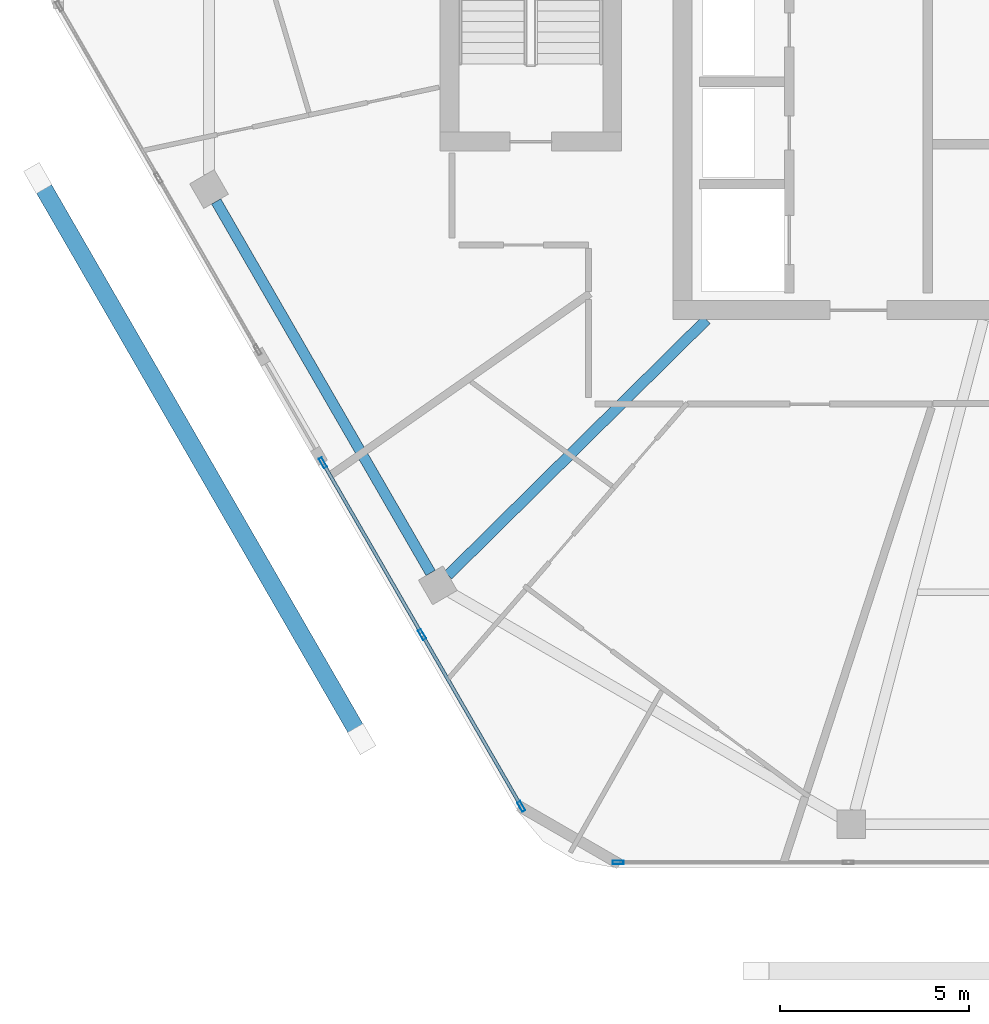
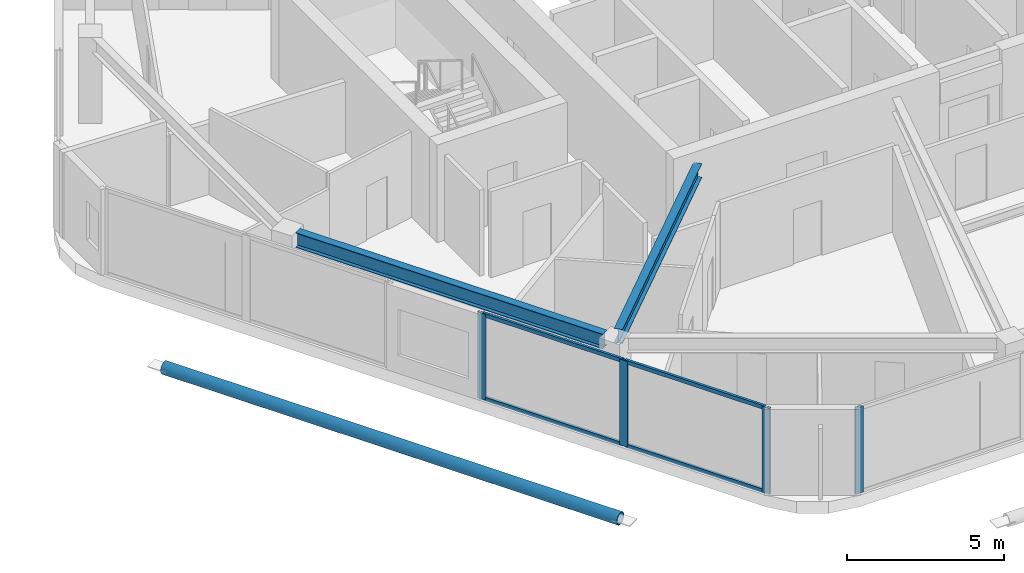
# One storey, part 2 of 22: 9 members, 2 beams, 2 elements without a shape of their own.
"""IFC4 building model written with IfcOpenShell, lengths in metres."""

import ifcopenshell
import ifcopenshell.guid

model = None  # the IFC model being written
_history = None  # IfcOwnerHistory: only IFC2X3 demands one
_inside = {}  # id of a spatial element -> (the spatial element, [elements in it])
_under = {}  # id of a project, library or spatial element -> (it, [spatial elements below it])
_declared = {}  # id of a project -> (the project, [libraries it declares])
_typed = {}  # id of a type object -> (the type object, [elements of that type])
_made_of = {}  # id of a material, layer set ... -> (it, [elements and type objects made of it])


def new_model(schema):
    """Start an empty IFC model of exactly this schema.

    Asked for "IFC4X3", IfcOpenShell would pick the latest addendum, in which some entities
    have other attributes; the version numbers below select the first issue.
    IFC2X3 requires an IfcOwnerHistory on every rooted entity: one is made here for all.
    """
    global model, _history
    if schema == "IFC4X3":
        model = ifcopenshell.file(schema_version=(4, 3, 0, 0))
    else:
        model = ifcopenshell.file(schema=schema)
    _inside.clear()
    _under.clear()
    _declared.clear()
    _typed.clear()
    _made_of.clear()
    _history = None
    if model.schema == "IFC2X3":
        org = make("IfcOrganization", Name="unknown")
        user = make(
            "IfcPersonAndOrganization",
            ThePerson=make("IfcPerson", FamilyName="unknown"),
            TheOrganization=org,
        )
        app = make(
            "IfcApplication",
            ApplicationDeveloper=org,
            Version="unknown",
            ApplicationFullName="unknown",
            ApplicationIdentifier="unknown",
        )
        _history = make(
            "IfcOwnerHistory",
            OwningUser=user,
            OwningApplication=app,
            ChangeAction="ADDED",
            CreationDate=0,
        )
    return model


def make(cls, **values):
    """One entity of the class cls with the attributes given. An attribute that is None is left unset."""
    return model.create_entity(
        cls, **{name: value for name, value in values.items() if value is not None}
    )


def rooted(cls, **values):
    """An entity with a GlobalId (a new one), such as an element, a storey or a relation."""
    return make(cls, GlobalId=ifcopenshell.guid.new(), OwnerHistory=_history, **values)


def si_unit(unit_type, name, prefix=None):
    """IfcSIUnit, for example si_unit("LENGTHUNIT", "METRE", prefix="MILLI")."""
    return make("IfcSIUnit", UnitType=unit_type, Prefix=prefix, Name=name)


def assignment(units):
    """IfcUnitAssignment: the units of a project."""
    return None if units is None else make("IfcUnitAssignment", Units=units)


def point(xyz):
    """IfcCartesianPoint."""
    return None if xyz is None else make("IfcCartesianPoint", Coordinates=xyz)


def direction(xyz):
    """IfcDirection."""
    return None if xyz is None else make("IfcDirection", DirectionRatios=xyz)


def frame(location, z_axis=None, x_axis=None):
    """IfcAxis2Placement3D, a coordinate frame: its origin and axes. An axis left out is left unset."""
    return make(
        "IfcAxis2Placement3D",
        Location=point(location),
        Axis=direction(z_axis),
        RefDirection=direction(x_axis),
    )


def frame_2d(location, x_axis=None):
    """IfcAxis2Placement2D, a coordinate frame in the plane: its origin and x axis."""
    return make(
        "IfcAxis2Placement2D", Location=point(location), RefDirection=direction(x_axis)
    )


def origin():
    """The frame at (0, 0, 0) with its axes left unset."""
    return frame((0.0, 0.0, 0.0))


def origin_2d():
    """The frame at (0, 0) in the plane with its x axis left unset."""
    return frame_2d((0.0, 0.0))


def place(relative_to, where):
    """IfcLocalPlacement: puts the frame where relative to a parent placement (None: the world)."""
    return make(
        "IfcLocalPlacement", PlacementRelTo=relative_to, RelativePlacement=where
    )


def context(
    kind, dimensions, precision=None, world=None, true_north=None, identifier=None
):
    """IfcGeometricRepresentationContext, for example the 3D "Model" context."""
    return make(
        "IfcGeometricRepresentationContext",
        ContextIdentifier=identifier,
        ContextType=kind,
        CoordinateSpaceDimension=dimensions,
        Precision=precision,
        WorldCoordinateSystem=world,
        TrueNorth=true_north,
    )


def subcontext(parent, identifier, kind, view, scale=None):
    """IfcGeometricRepresentationSubContext, for example "Body" below "Model"."""
    return make(
        "IfcGeometricRepresentationSubContext",
        ContextIdentifier=identifier,
        ContextType=kind,
        ParentContext=parent,
        TargetScale=scale,
        TargetView=view,
    )


def project(units=None, contexts=None):
    """IfcProject with its units and contexts."""
    return rooted(
        "IfcProject",
        Name="project",
        RepresentationContexts=contexts,
        UnitsInContext=assignment(units),
    )


def spatial(cls, under=None, at=None, **own):
    """A site, building, storey or space (cls), placed at a placement, below another one or the project."""
    s = rooted(cls, ObjectPlacement=at, **own)
    if under is not None:
        _under.setdefault(under.id(), (under, []))[1].append(s)
    return s


def profile(cls, at=None, kind="AREA", **sizes):
    """A parametric profile (cls). Its sizes go by their IFC names, for example OverallWidth=200.0."""
    return make(cls, ProfileType=kind, Position=at, **sizes)


def hollow_rectangle(**sizes):
    """IfcRectangleHollowProfileDef."""
    return profile("IfcRectangleHollowProfileDef", **sizes)


def hollow_circle(**sizes):
    """IfcCircleHollowProfileDef."""
    return profile("IfcCircleHollowProfileDef", **sizes)


def i_section(**sizes):
    """IfcIShapeProfileDef."""
    return profile("IfcIShapeProfileDef", **sizes)


def extrude(swept, where, along, depth):
    """IfcExtrudedAreaSolid: the profile swept, set in the frame where, extruded along a direction by depth."""
    return make(
        "IfcExtrudedAreaSolid",
        SweptArea=swept,
        Position=where,
        ExtrudedDirection=direction(along),
        Depth=depth,
    )


def shape(context_of_items, identifier, shape_type, items):
    """IfcShapeRepresentation: the items that make up one representation, for example the "Body"."""
    return make(
        "IfcShapeRepresentation",
        ContextOfItems=context_of_items,
        RepresentationIdentifier=identifier,
        RepresentationType=shape_type,
        Items=items,
    )


def material(Name=None, Category=None):
    """IfcMaterial."""
    return make("IfcMaterial", Name=Name, Category=Category)


def material_profile(
    of_material, cross_section, Name=None, Category=None, Priority=None
):
    """IfcMaterialProfile: a cross section and its material."""
    return make(
        "IfcMaterialProfile",
        Name=Name,
        Material=of_material,
        Profile=cross_section,
        Priority=Priority,
        Category=Category,
    )


def profile_set(profiles, Name=None, composite=None):
    """IfcMaterialProfileSet."""
    return make(
        "IfcMaterialProfileSet",
        Name=Name,
        MaterialProfiles=profiles,
        CompositeProfile=composite,
    )


def made_of(thing, what):
    """Note that an element or type object is made of a material, layer set ...; save() writes the relation."""
    if what is not None:
        _made_of.setdefault(what.id(), (what, []))[1].append(thing)
    return thing


def type_object(cls, material=None, **own):
    """A type object (cls), such as IfcWallType, which elements share."""
    return made_of(rooted(cls, **own), material)


def element(
    cls,
    number,
    at=None,
    inside=None,
    cuts=None,
    type_object=None,
    material=None,
    context=None,
    identifier="Body",
    shape_type=None,
    held_by="IfcProductDefinitionShape",
    body=None,
    shapes=None,
    **own,
):
    """One element of the class cls, such as IfcWall. Its Tag is "e" and its number.

    at: its placement. inside: the storey or other place that contains it. cuts: it is an
    opening in that element (IfcRelVoidsElement). A single representation is given by context,
    identifier, shape_type and body (its items); several are given by shapes. held_by: the class
    of the entity that holds the representations. save() writes the other relations.
    """
    e = rooted(cls, Tag="e%d" % number, ObjectPlacement=at, **own)
    if body is not None:
        shapes = [shape(context, identifier, shape_type, body)]
    if shapes is not None:
        e.Representation = make(held_by, Representations=shapes)
    if inside is not None:
        _inside.setdefault(inside.id(), (inside, []))[1].append(e)
    if cuts is not None:
        rooted(
            "IfcRelVoidsElement", RelatingBuildingElement=cuts, RelatedOpeningElement=e
        )
    if type_object is not None:
        _typed.setdefault(type_object.id(), (type_object, []))[1].append(e)
    return made_of(e, material)


def aggregate(whole, parts):
    """IfcRelAggregates: a whole, such as a stair, and the parts it consists of."""
    return rooted("IfcRelAggregates", RelatingObject=whole, RelatedObjects=parts)


def save(model, path):
    """Write the relations noted so far, then the file.

    IfcRelAggregates (storeys below a building ...), IfcRelContainedInSpatialStructure (elements
    in a storey), IfcRelDefinesByType, IfcRelAssociatesMaterial and IfcRelDeclares: one each for
    every whole, place, type object, material and project.
    """
    for whole, parts in _under.values():
        aggregate(whole, parts)
    for where, things in _inside.values():
        rooted(
            "IfcRelContainedInSpatialStructure",
            RelatedElements=things,
            RelatingStructure=where,
        )
    for kind, things in _typed.values():
        rooted("IfcRelDefinesByType", RelatedObjects=things, RelatingType=kind)
    for what, things in _made_of.values():
        rooted("IfcRelAssociatesMaterial", RelatedObjects=things, RelatingMaterial=what)
    for by, libraries in _declared.values():
        rooted("IfcRelDeclares", RelatingContext=by, RelatedDefinitions=libraries)
    model.write(path)


model = new_model("IFC4")

# Units and contexts
model_context = context("Model", 3, precision=1e-05, world=origin(), true_north=direction((0.0, 1.0)))
body_context = subcontext(model_context, "Body", "Model", "MODEL_VIEW")
ifc_project = project(units=[si_unit("LENGTHUNIT", "METRE"), si_unit("AREAUNIT", "SQUARE_METRE"), si_unit("VOLUMEUNIT", "CUBIC_METRE"), si_unit("PLANEANGLEUNIT", "RADIAN"), si_unit("MASSUNIT", "GRAM", prefix="KILO")], contexts=[model_context])

# Site, building, storey
site_placement = place(None, origin())
site = spatial("IfcSite", under=ifc_project, at=site_placement, CompositionType="ELEMENT")
building_placement = place(site_placement, origin())
building = spatial("IfcBuilding", under=site, at=building_placement, Name="Zuhravey Tower", CompositionType="ELEMENT")
storey_placement = place(building_placement, frame((0.0, 0.0, 357.60009765625)))
storey = spatial("IfcBuildingStorey", under=building, at=storey_placement, Name="L91", CompositionType="ELEMENT", Elevation=357.60009765625)

# Curtain wall, member
ifc_material_1 = material(Name="Thermally broken anodised aluminium", Category="aluminium")
curtain_wall_type = type_object("IfcCurtainWallType", Name="Zone 3-4 High-Rise Curtain Wall CW4", PredefinedType="NOTDEFINED", material=ifc_material_1)
curtain_wall_1_placement = place(storey_placement, origin())
curtain_wall_1 = element("IfcCurtainWall", 1, at=curtain_wall_1_placement, inside=storey, type_object=curtain_wall_type, Name="L91 CW4 CW-L91-F5-1", PredefinedType="NOTDEFINED")
ifc_material_2 = material(Name="Anodised aluminium", Category="aluminium")
ifc_material_profile_1 = material_profile(ifc_material_2, hollow_rectangle(XDim=0.090087890625, YDim=0.284912109375, WallThickness=0.0048828125, at=origin_2d()), Name="ALU-RHS-90x285x5")
ifc_profile_set_1 = profile_set([ifc_material_profile_1], Name="Anodised aluminium")
member_type_1 = type_object("IfcMemberType", Name="Curtain-Wall Mullion 90x180", PredefinedType="MULLION", material=ifc_profile_set_1)
member_1_placement = place(storey_placement, frame((23.8056640625, 7.92578125, 0.0), z_axis=(0.0, 0.0, 1.0), x_axis=(0.0, -1.0, 0.0)))
member_1 = element("IfcMember", 2, at=member_1_placement, type_object=member_type_1, Name="CW4 mullion 5", PredefinedType="MULLION", context=body_context, shape_type="SweptSolid", body=[
    extrude(hollow_rectangle(XDim=0.090087890625, YDim=0.284912109375, WallThickness=0.0048828125, at=origin_2d()), origin(), (0.0, 0.0, 1.0), 3.349853515625),
])
aggregate(curtain_wall_1, [member_1])

# Curtain wall, members
curtain_wall_2_placement = place(storey_placement, origin())
curtain_wall_2 = element("IfcCurtainWall", 3, at=curtain_wall_2_placement, inside=storey, type_object=curtain_wall_type, Name="L91 CW4 CW-L91-F4-1", PredefinedType="NOTDEFINED")
member_2_placement = place(storey_placement, frame((21.248291015625, 9.40234375, 0.0), z_axis=(0.0, 0.0, 1.0), x_axis=(-0.866028584979, -0.49999448997, 0.0)))
member_2 = element("IfcMember", 4, at=member_2_placement, type_object=member_type_1, Name="CW4 mullion 1", PredefinedType="MULLION", context=body_context, shape_type="SweptSolid", body=[
    extrude(hollow_rectangle(XDim=0.090087890625, YDim=0.284912109375, WallThickness=0.0048828125, at=origin_2d()), origin(), (0.0, 0.0, 1.0), 3.349853515625),
])
member_3_placement = place(storey_placement, frame((18.6298828125, 13.93798828125, 0.0), z_axis=(0.0, 0.0, 1.0), x_axis=(-0.866028584979, -0.49999448997, 0.0)))
member_3 = element("IfcMember", 5, at=member_3_placement, type_object=member_type_1, Name="CW4 mullion 2", PredefinedType="MULLION", context=body_context, shape_type="SweptSolid", body=[
    extrude(hollow_rectangle(XDim=0.090087890625, YDim=0.284912109375, WallThickness=0.0048828125, at=origin_2d()), origin(), (0.0, 0.0, 1.0), 3.349853515625),
])
member_4_placement = place(storey_placement, frame((16.01123046875, 18.473388671875, 0.0), z_axis=(0.0, 0.0, 1.0), x_axis=(-0.866028584979, -0.49999448997, 0.0)))
member_4 = element("IfcMember", 6, at=member_4_placement, type_object=member_type_1, Name="CW4 mullion 3", PredefinedType="MULLION", context=body_context, shape_type="SweptSolid", body=[
    extrude(hollow_rectangle(XDim=0.090087890625, YDim=0.284912109375, WallThickness=0.0048828125, at=origin_2d()), origin(), (0.0, 0.0, 1.0), 3.349853515625),
])
ifc_material_profile_2 = material_profile(ifc_material_2, hollow_rectangle(XDim=0.090087890625, YDim=0.14990234375, WallThickness=0.0048828125, at=origin_2d()), Name="ALU-RHS-90x150x5")
ifc_profile_set_2 = profile_set([ifc_material_profile_2], Name="Anodised aluminium")
member_type_2 = type_object("IfcMemberType", Name="Curtain-Wall Transom 90x150", PredefinedType="USERDEFINED", material=ifc_profile_set_2)
member_5_placement = place(storey_placement, frame((21.225830078125, 9.44140625, 0.044921875), z_axis=(-0.499990707328, 0.866030768845, 0.0), x_axis=(-0.866030768845, -0.499990707328, 0.0)))
member_5 = element("IfcMember", 7, at=member_5_placement, type_object=member_type_2, Name="CW4 transom 1.1", ObjectType="TRANSOM", PredefinedType="USERDEFINED", context=body_context, shape_type="SweptSolid", body=[
    extrude(hollow_rectangle(XDim=0.090087890625, YDim=0.14990234375, WallThickness=0.0048828125, at=origin_2d()), origin(), (0.0, 0.0, 1.0), 5.14697265625),
])
member_6_placement = place(storey_placement, frame((21.225830078125, 9.44140625, 3.304931640625), z_axis=(-0.499990707328, 0.866030768845, 0.0), x_axis=(-0.866030768845, -0.499990707328, 0.0)))
member_6 = element("IfcMember", 8, at=member_6_placement, type_object=member_type_2, Name="CW4 transom 1.2", ObjectType="TRANSOM", PredefinedType="USERDEFINED", context=body_context, shape_type="SweptSolid", body=[
    extrude(hollow_rectangle(XDim=0.090087890625, YDim=0.14990234375, WallThickness=0.0048828125, at=origin_2d()), origin(), (0.0, 0.0, 1.0), 5.14697265625),
])
member_7_placement = place(storey_placement, frame((18.607421875, 13.976806640625, 0.044921875), z_axis=(-0.500005742616, 0.866022088258, 0.0), x_axis=(-0.866022088258, -0.500005742616, 0.0)))
member_7 = element("IfcMember", 9, at=member_7_placement, type_object=member_type_2, Name="CW4 transom 2.1", ObjectType="TRANSOM", PredefinedType="USERDEFINED", context=body_context, shape_type="SweptSolid", body=[
    extrude(hollow_rectangle(XDim=0.090087890625, YDim=0.14990234375, WallThickness=0.0048828125, at=origin_2d()), origin(), (0.0, 0.0, 1.0), 5.1474609375),
])
member_8_placement = place(storey_placement, frame((18.607421875, 13.976806640625, 3.304931640625), z_axis=(-0.500005742616, 0.866022088258, 0.0), x_axis=(-0.866022088258, -0.500005742616, 0.0)))
member_8 = element("IfcMember", 10, at=member_8_placement, type_object=member_type_2, Name="CW4 transom 2.2", ObjectType="TRANSOM", PredefinedType="USERDEFINED", context=body_context, shape_type="SweptSolid", body=[
    extrude(hollow_rectangle(XDim=0.090087890625, YDim=0.14990234375, WallThickness=0.0048828125, at=origin_2d()), origin(), (0.0, 0.0, 1.0), 5.1474609375),
])
aggregate(curtain_wall_2, [member_2, member_3, member_4, member_5, member_6, member_7, member_8])

# Member
ifc_material_3 = material(Name="Steel SM355", Category="steel")
ifc_material_profile_3 = material_profile(ifc_material_3, hollow_circle(Radius=0.228515625, WallThickness=0.02197265625, at=origin_2d()), Name="CHS-457.2x22")
ifc_profile_set_3 = profile_set([ifc_material_profile_3], Name="Steel SM355")
member_type_3 = type_object("IfcMemberType", Name="Exoskeleton Ring Tie CHS457x22", PredefinedType="CHORD", material=ifc_profile_set_3)
member_9_placement = place(storey_placement, frame((8.556396484375, 25.86572265625, -0.6640625), z_axis=(0.499996794797, -0.866027254301, 0.0), x_axis=(0.866027254301, 0.499996794797, 0.0)))
element("IfcMember", 11, at=member_9_placement, inside=storey, type_object=member_type_3, Name="L91 Exoskeleton Face 4 Tie EXR1", PredefinedType="CHORD", context=body_context, shape_type="SweptSolid", body=[
    extrude(hollow_circle(Radius=0.228515625, WallThickness=0.02197265625, at=origin_2d()), origin(), (0.0, 0.0, 1.0), 16.81884765625),
])

# Beams
ifc_material_profile_4 = material_profile(ifc_material_3, i_section(OverallWidth=0.280029296875, OverallDepth=0.580078125, WebThickness=0.011962890625, FlangeThickness=0.01904296875, at=origin_2d()), Name="H-580x280x12x19")
ifc_profile_set_4 = profile_set([ifc_material_profile_4], Name="Steel SM355")
beam_type_1 = type_object("IfcBeamType", Name="Perimeter Ring Beam H580x280", PredefinedType="BEAM", material=ifc_profile_set_4)
beam_1_placement = place(storey_placement, frame((13.195556640625, 25.370361328125, 3.059814453125), z_axis=(0.499993743963, -0.866029015679, 0.0), x_axis=(0.866029015679, 0.499993743963, 0.0)))
element("IfcBeam", 12, at=beam_1_placement, inside=storey, type_object=beam_type_1, Name="L91 PB4 BM-L91-PB-07", PredefinedType="BEAM", context=body_context, shape_type="SweptSolid", body=[
    extrude(i_section(OverallWidth=0.280029296875, OverallDepth=0.580078125, WebThickness=0.011962890625, FlangeThickness=0.01904296875, at=origin_2d()), origin(), (0.0, 0.0, 1.0), 11.321533203125),
])
ifc_material_profile_5 = material_profile(ifc_material_3, i_section(OverallWidth=0.280029296875, OverallDepth=0.550048828125, WebThickness=0.010986328125, FlangeThickness=0.01806640625, at=origin_2d()), Name="H-550x280x11x18")
ifc_profile_set_5 = profile_set([ifc_material_profile_5], Name="Steel SM355")
beam_type_2 = type_object("IfcBeamType", Name="Radial Primary Girder H550x280", PredefinedType="BEAM", material=ifc_profile_set_5)
beam_2_placement = place(storey_placement, frame((26.134765625, 22.2470703125, 3.074951171875), z_axis=(-0.711142578304, -0.703047817238, 0.0), x_axis=(0.703047817238, -0.711142578304, 0.0)))
element("IfcBeam", 13, at=beam_2_placement, inside=storey, type_object=beam_type_2, Name="L91 RG4 BM-L91-RAD-08", PredefinedType="BEAM", context=body_context, shape_type="SweptSolid", body=[
    extrude(i_section(OverallWidth=0.280029296875, OverallDepth=0.550048828125, WebThickness=0.010986328125, FlangeThickness=0.01806640625, at=origin_2d()), origin(), (0.0, 0.0, 1.0), 9.591064453125),
])

save(model, "model.ifc")
